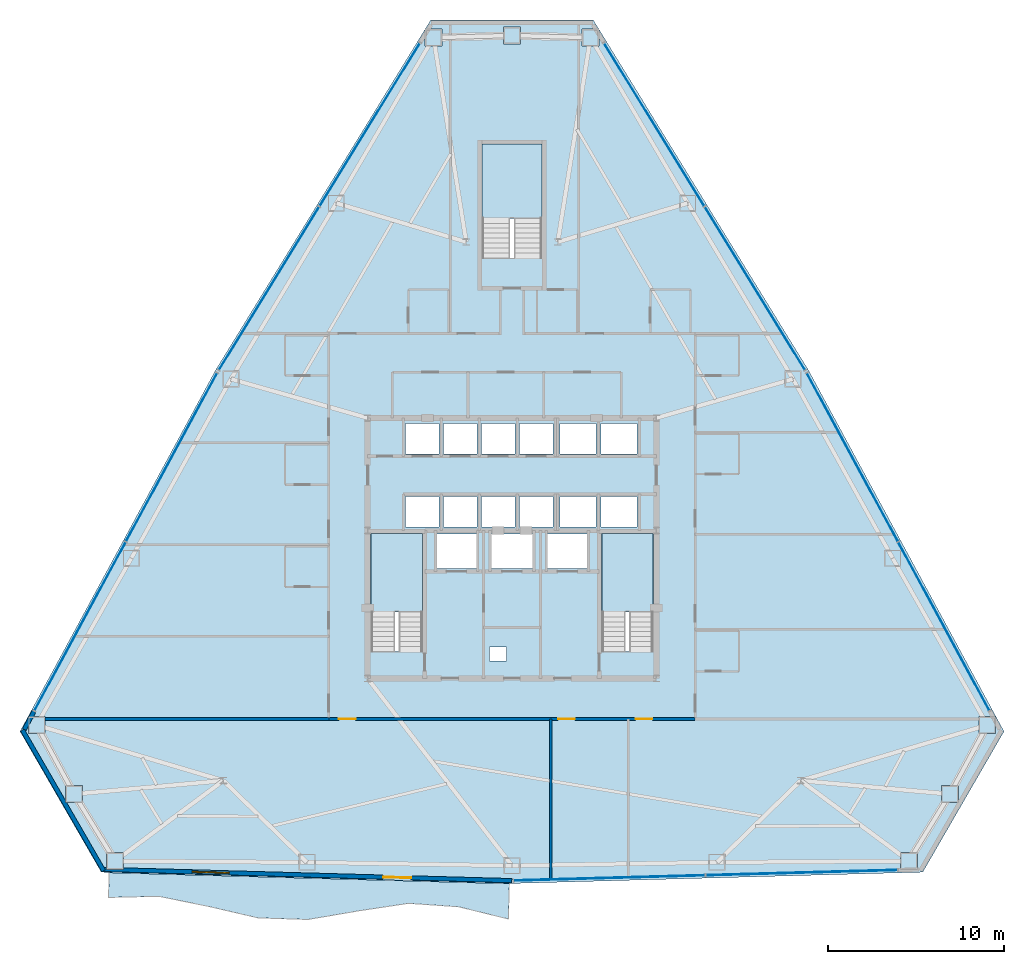
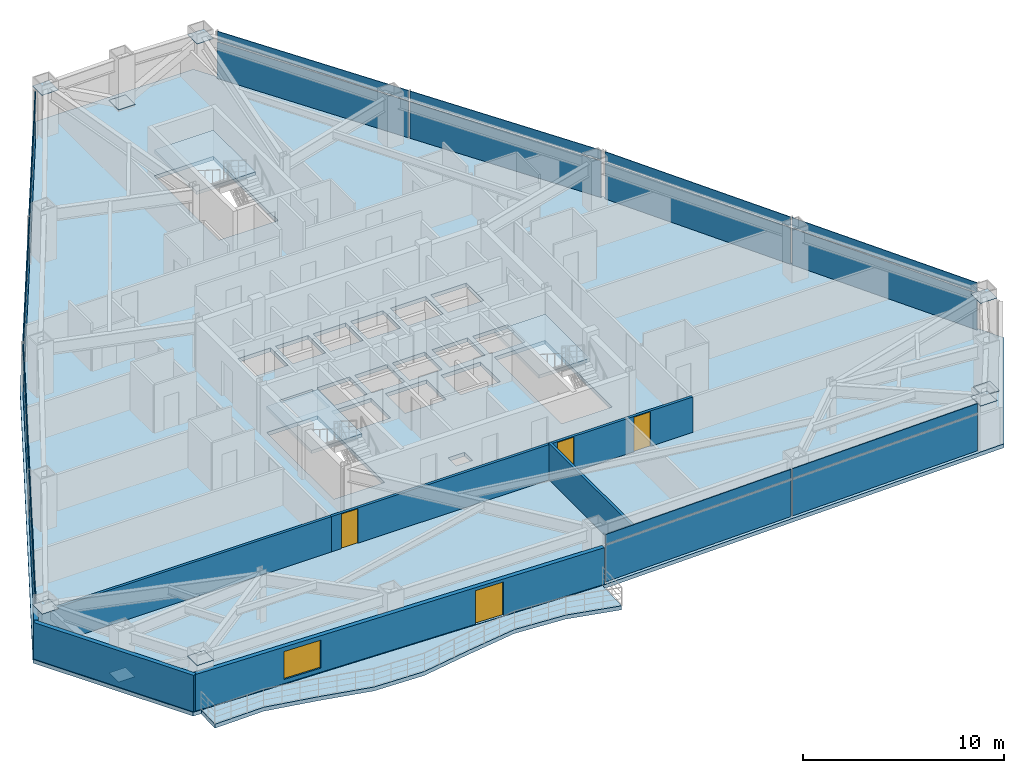
# One storey, part 8 of 13: 29 plates, 6 walls, 5 slabs, 4 doors, 1 window, 5 openings, 8 elements without a shape of their own.
"""IFC4 building model written with IfcOpenShell, lengths in metres."""

from ifc_helpers import new_model, si_unit, direction, frame, frame_2d, origin, origin_2d, place, context, subcontext, project, spatial, polyline, rectangle, outline, extrude, source, transform, mapped, material, layer, layer_set, type_object, type_shapes, element, fill, aggregate, save


model = new_model("IFC4")

# Units and contexts
model_context = context("Model", 3, precision=1e-05, world=origin(), true_north=direction((0.0, 1.0)))
body_context = subcontext(model_context, "Body", "Model", "MODEL_VIEW")
ifc_project = project(units=[si_unit("LENGTHUNIT", "METRE"), si_unit("AREAUNIT", "SQUARE_METRE"), si_unit("VOLUMEUNIT", "CUBIC_METRE"), si_unit("PLANEANGLEUNIT", "RADIAN"), si_unit("MASSUNIT", "GRAM", prefix="KILO")], contexts=[model_context])

# Site, building, storey
site_placement = place(None, origin())
site = spatial("IfcSite", under=ifc_project, at=site_placement, CompositionType="ELEMENT")
building_placement = place(site_placement, origin())
building = spatial("IfcBuilding", under=site, at=building_placement, Name="Varakhsha Concourse Tower", CompositionType="ELEMENT")
storey_placement = place(building_placement, frame((0.0, 0.0, 108.60009765625)))
storey = spatial("IfcBuildingStorey", under=building, at=storey_placement, Name="L31", CompositionType="ELEMENT", Elevation=108.60009765625)

# Slab
ifc_material_1 = material(Name="Concrete fc 45 MPa", Category="concrete")
ifc_layer_1 = layer(ifc_material_1, 0.22998046875, Name="SL-FLR-230")
ifc_layer_set_1 = layer_set([ifc_layer_1], Name="Concrete fc 45 MPa")
slab_type_1 = type_object("IfcSlabType", Name="SL-FLR-230", PredefinedType="FLOOR", material=ifc_layer_set_1)
slab_1_placement = place(storey_placement, frame((0.0, 0.0, -0.22998046875)))
element("IfcSlab", 1, at=slab_1_placement, inside=storey, type_object=slab_type_1, Name="L31 Composite Structural Slab", PredefinedType="FLOOR", context=body_context, shape_type="SweptSolid", body=[
    extrude(outline(polyline([(44.6142578125, 53.807861328125), (35.3857421875, 53.807861328125), (23.161865234375, 33.92138671875), (12.0517578125, 13.39208984375), (16.666015625, 5.39990234375), (40.0, 4.757080078125), (63.333984375, 5.39990234375), (67.9482421875, 13.39208984375), (56.838134765625, 33.92138671875), (44.6142578125, 53.807861328125)]), holes=[polyline([(34.919921875, 17.93994140625), (34.919921875, 24.6298828125), (32.0, 24.6298828125), (32.0, 17.93994140625), (34.919921875, 17.93994140625)]), polyline([(48.02001953125, 17.93994140625), (48.02001953125, 24.6298828125), (45.10009765625, 24.6298828125), (45.10009765625, 17.93994140625), (48.02001953125, 17.93994140625)]), polyline([(41.699951171875, 40.300048828125), (41.699951171875, 46.75), (38.300048828125, 46.75), (38.300048828125, 40.300048828125), (41.699951171875, 40.300048828125)]), polyline([(33.9599609375, 29.159912109375), (35.840087890625, 29.159912109375), (35.840087890625, 30.89990234375), (33.9599609375, 30.89990234375), (33.9599609375, 29.159912109375)]), polyline([(36.1201171875, 29.159912109375), (38.0, 29.159912109375), (38.0, 30.89990234375), (36.1201171875, 30.89990234375), (36.1201171875, 29.159912109375)]), polyline([(38.280029296875, 29.159912109375), (40.159912109375, 29.159912109375), (40.159912109375, 30.89990234375), (38.280029296875, 30.89990234375), (38.280029296875, 29.159912109375)]), polyline([(40.43994140625, 29.159912109375), (42.320068359375, 29.159912109375), (42.320068359375, 30.89990234375), (40.43994140625, 30.89990234375), (40.43994140625, 29.159912109375)]), polyline([(33.9599609375, 25.0), (35.840087890625, 25.0), (35.840087890625, 26.739990234375), (33.9599609375, 26.739990234375), (33.9599609375, 25.0)]), polyline([(36.1201171875, 25.0), (38.0, 25.0), (38.0, 26.739990234375), (36.1201171875, 26.739990234375), (36.1201171875, 25.0)]), polyline([(38.280029296875, 25.0), (40.159912109375, 25.0), (40.159912109375, 26.739990234375), (38.280029296875, 26.739990234375), (38.280029296875, 25.0)]), polyline([(40.43994140625, 25.0), (42.320068359375, 25.0), (42.320068359375, 26.739990234375), (40.43994140625, 26.739990234375), (40.43994140625, 25.0)]), polyline([(42.739990234375, 29.159912109375), (44.780029296875, 29.159912109375), (44.780029296875, 30.89990234375), (42.739990234375, 30.89990234375), (42.739990234375, 29.159912109375)]), polyline([(45.06005859375, 29.159912109375), (47.10009765625, 29.159912109375), (47.10009765625, 30.89990234375), (45.06005859375, 30.89990234375), (45.06005859375, 29.159912109375)]), polyline([(42.739990234375, 25.0), (44.780029296875, 25.0), (44.780029296875, 26.739990234375), (42.739990234375, 26.739990234375), (42.739990234375, 25.0)]), polyline([(45.06005859375, 25.0), (47.10009765625, 25.0), (47.10009765625, 26.739990234375), (45.06005859375, 26.739990234375), (45.06005859375, 25.0)]), polyline([(35.7099609375, 22.639892578125), (37.989990234375, 22.639892578125), (37.989990234375, 24.60009765625), (35.7099609375, 24.60009765625), (35.7099609375, 22.639892578125)]), polyline([(42.010009765625, 22.639892578125), (44.2900390625, 22.639892578125), (44.2900390625, 24.60009765625), (42.010009765625, 24.60009765625), (42.010009765625, 22.639892578125)]), polyline([(38.81005859375, 22.639892578125), (41.18994140625, 22.639892578125), (41.18994140625, 24.60009765625), (38.81005859375, 24.60009765625), (38.81005859375, 22.639892578125)]), polyline([(38.719970703125, 17.39990234375), (39.679931640625, 17.39990234375), (39.679931640625, 18.199951171875), (38.719970703125, 18.199951171875), (38.719970703125, 17.39990234375)])]), origin(), (0.0, 0.0, 1.0), 0.22998046875),
])

# Stair, slab
stair_type_1 = type_object("IfcStairType", Name="ST-DOGLEG-1360", PredefinedType="HALF_TURN_STAIR", material=ifc_material_1)
stair_1_placement = place(storey_placement, origin())
stair_1 = element("IfcStair", 2, at=stair_1_placement, inside=storey, type_object=stair_type_1, Name="L31 Protected Exit Stair ST1", PredefinedType="HALF_TURN_STAIR")
ifc_layer_2 = layer(ifc_material_1, 0.199951171875, Name="SL-LAND-200")
ifc_layer_set_2 = layer_set([ifc_layer_2], Name="Concrete fc 45 MPa")
slab_type_2 = type_object("IfcSlabType", Name="SL-LAND-200", PredefinedType="LANDING", material=ifc_layer_set_2)
slab_2_placement = place(storey_placement, frame((0.0, 0.0, 1.39990234375)))
slab_2 = element("IfcSlab", 3, at=slab_2_placement, type_object=slab_type_2, Name="ST1 landing 1", PredefinedType="LANDING", context=body_context, shape_type="SweptSolid", body=[
    extrude(outline(polyline([(34.919921875, 20.179931640625), (34.919921875, 24.6298828125), (32.0, 24.6298828125), (32.0, 20.179931640625), (34.919921875, 20.179931640625)])), origin(), (0.0, 0.0, 1.0), 0.199951171875),
])
aggregate(stair_1, [slab_2])

stair_2_placement = place(storey_placement, origin())
stair_2 = element("IfcStair", 4, at=stair_2_placement, inside=storey, type_object=stair_type_1, Name="L31 Protected Exit Stair ST2", PredefinedType="HALF_TURN_STAIR")
slab_3_placement = place(storey_placement, frame((0.0, 0.0, 1.39990234375)))
slab_3 = element("IfcSlab", 5, at=slab_3_placement, type_object=slab_type_2, Name="ST2 landing 1", PredefinedType="LANDING", context=body_context, shape_type="SweptSolid", body=[
    extrude(outline(polyline([(48.02001953125, 20.179931640625), (48.02001953125, 24.6298828125), (45.10009765625, 24.6298828125), (45.10009765625, 20.179931640625), (48.02001953125, 20.179931640625)])), origin(), (0.0, 0.0, 1.0), 0.199951171875),
])
aggregate(stair_2, [slab_3])

stair_type_2 = type_object("IfcStairType", Name="ST-DOGLEG-1600", PredefinedType="HALF_TURN_STAIR", material=ifc_material_1)
stair_3_placement = place(storey_placement, origin())
stair_3 = element("IfcStair", 6, at=stair_3_placement, inside=storey, type_object=stair_type_2, Name="L31 Protected Exit Stair ST5", PredefinedType="HALF_TURN_STAIR")
slab_4_placement = place(storey_placement, frame((0.0, 0.0, 1.39990234375)))
slab_4 = element("IfcSlab", 7, at=slab_4_placement, type_object=slab_type_2, Name="ST5 landing 1", PredefinedType="LANDING", context=body_context, shape_type="SweptSolid", body=[
    extrude(outline(polyline([(41.699951171875, 42.5400390625), (41.699951171875, 46.75), (38.300048828125, 46.75), (38.300048828125, 42.5400390625), (41.699951171875, 42.5400390625)])), origin(), (0.0, 0.0, 1.0), 0.199951171875),
])
aggregate(stair_3, [slab_4])

# Slab
ifc_layer_3 = layer(ifc_material_1, 0.239990234375, Name="SL-TERR-240")
ifc_layer_set_3 = layer_set([ifc_layer_3], Name="Concrete fc 45 MPa")
slab_type_3 = type_object("IfcSlabType", Name="SL-TERR-240", PredefinedType="FLOOR", material=ifc_layer_set_3)
slab_5_placement = place(storey_placement, frame((0.0, 0.0, -0.239990234375)))
element("IfcSlab", 8, at=slab_5_placement, inside=storey, type_object=slab_type_3, Name="L31 Hotel Wave Sky-Loggia Balcony", PredefinedType="FLOOR", context=body_context, shape_type="SweptSolid", body=[
    extrude(outline(polyline([(17.115478515625, 5.37255859375), (39.849609375, 4.74609375), (39.794189453125, 2.7392578125), (36.969482421875, 3.4306640625), (34.130859375, 3.627685546875), (31.275146484375, 3.197265625), (28.417724609375, 2.710205078125), (25.576416015625, 2.801025390625), (22.75048828125, 3.45556640625), (19.92236328125, 4.027099609375), (17.07666015625, 3.96240234375), (17.115478515625, 5.37255859375)])), origin(), (0.0, 0.0, 1.0), 0.239990234375),
])

# Plates
ifc_material_2 = material(Name="Structural Steel ASTM A572 Grade 50", Category="steel")
ifc_layer_4 = layer(ifc_material_2, 0.030029296875, Name="PL-ENDCAP-950")
ifc_layer_set_4 = layer_set([ifc_layer_4], Name="Structural Steel ASTM A572 Grade 50")
plate_type_1 = type_object("IfcPlateType", Name="PL-ENDCAP-950", PredefinedType="USERDEFINED", material=ifc_layer_set_4)
shared_shape_1 = source(origin(), body_context, "Body", "SweptSolid", [
    extrude(rectangle(XDim=0.949951171875, YDim=0.949951171875, at=origin_2d()), origin(), (0.0, 0.0, 1.0), 0.030029296875),
])
type_shapes(plate_type_1, [shared_shape_1])
for number, where, z_axis, x_axis, name in (
    (9, (40.0, 52.927734375, 0.10498046875), (0.0, 0.0, 1.0), (1.0, 0.0, 0.0), "Hollow Section End Cap GP-NODE-L31-0295"),
    (10, (44.45849609375, 52.807861328125, 2.625), (0.0, 0.0, 1.0), (1.0, 0.0, 0.0), "Hollow Section End Cap GP-NODE-L31-0296"),
    (11, (35.54150390625, 52.807861328125, 2.625), (0.0, 0.0, 1.0), (1.0, 0.0, 0.0), "Hollow Section End Cap GP-NODE-L31-0297"),
    (12, (15.12109375, 9.836181640625, 0.10498046875), (0.0, 0.0, 1.0), (1.0, 0.0, 0.0), "Hollow Section End Cap GP-NODE-L31-0298"),
    (13, (12.99560546875, 13.757080078125, 2.625), (0.0, 0.0, 1.0), (1.0, 0.0, 0.0), "Hollow Section End Cap GP-NODE-L31-0299"),
    (14, (17.4541015625, 6.034912109375, 2.625), (0.0, 0.0, 1.0), (1.0, 0.0, 0.0), "Hollow Section End Cap GP-NODE-L31-0300"),
    (15, (64.87890625, 9.836181640625, 0.10498046875), (0.0, 0.0, 1.0), (1.0, 0.0, 0.0), "Hollow Section End Cap GP-NODE-L31-0301"),
    (16, (62.5458984375, 6.034912109375, 2.625), (0.0, 0.0, 1.0), (1.0, 0.0, 0.0), "Hollow Section End Cap GP-NODE-L31-0302"),
    (17, (67.00439453125, 13.757080078125, 2.625), (0.0, 0.0, 1.0), (1.0, 0.0, 0.0), "Hollow Section End Cap GP-NODE-L31-0303"),
):
    element("IfcPlate", number, at=place(storey_placement, frame(where, z_axis=z_axis, x_axis=x_axis)), inside=storey, type_object=plate_type_1, Name=name, ObjectType="END PLATE", PredefinedType="USERDEFINED", context=body_context, shape_type="MappedRepresentation", body=[
        mapped(shared_shape_1, transform((0.0, 0.0, 0.0), scale=1.0)),
    ])

# Curtain wall, plates
ifc_material_3 = material(Name="Anodised Bronze Architectural Aluminium AA 6063-T6", Category="aluminium")
ifc_layer_5 = layer(ifc_material_3, 0.199951171875, Name="CW-SYS-03")
ifc_layer_set_5 = layer_set([ifc_layer_5], Name="Anodised Bronze Architectural Aluminium AA 6063-T6")
curtain_wall_type = type_object("IfcCurtainWallType", Name="CW-SYS-03", PredefinedType="NOTDEFINED", material=ifc_layer_set_5)
curtain_wall_1_placement = place(storey_placement, origin())
curtain_wall_1 = element("IfcCurtainWall", 18, at=curtain_wall_1_placement, inside=storey, type_object=curtain_wall_type, Name="L31 Crystal Curtain Wall F2", PredefinedType="NOTDEFINED")
ifc_material_4 = material(Name="Glazed Turquoise-Bronze Ceramic Spandrel Panel 38 mm", Category="ceramic")
ifc_layer_6 = layer(ifc_material_4, 0.0380859375, Name="CWP-SPN-38")
ifc_layer_set_6 = layer_set([ifc_layer_6], Name="Glazed Turquoise-Bronze Ceramic Spandrel Panel 38 mm")
plate_type_2 = type_object("IfcPlateType", Name="CWP-SPN-38", PredefinedType="USERDEFINED", material=ifc_layer_set_6)
shared_shape_2 = source(origin(), body_context, "Body", "SweptSolid", [
    extrude(rectangle(XDim=10.84228515625, YDim=0.0380859375, at=origin_2d()), origin(), (0.0, 0.0, 1.0), 0.5810546875),
])
plate_1_placement = place(storey_placement, frame((26.19970703125, 38.55810546875, 2.324462890625), z_axis=(0.0, 0.0, 1.0), x_axis=(0.523664775253, 0.851924411646, 0.0)))
plate_1 = element("IfcPlate", 19, at=plate_1_placement, type_object=plate_type_2, Name="CW-L31-F2 Panel 00-01", ObjectType="SPANDREL", PredefinedType="USERDEFINED", context=body_context, shape_type="MappedRepresentation", body=[
    mapped(shared_shape_2, transform((0.0, 0.0, 0.0), scale=1.0)),
])
plate_2_placement = place(storey_placement, frame((31.918701171875, 47.8623046875, 2.324462890625), z_axis=(0.0, 0.0, 1.0), x_axis=(0.523664775253, 0.851924411646, 0.0)))
plate_2 = element("IfcPlate", 20, at=plate_2_placement, type_object=plate_type_2, Name="CW-L31-F2 Panel 01-01", ObjectType="SPANDREL", PredefinedType="USERDEFINED", context=body_context, shape_type="MappedRepresentation", body=[
    mapped(shared_shape_2, transform((0.0, 0.0, 0.0), scale=1.0)),
])

# Curtain wall, plate
curtain_wall_2_placement = place(storey_placement, origin())
curtain_wall_2 = element("IfcCurtainWall", 21, at=curtain_wall_2_placement, inside=storey, type_object=curtain_wall_type, Name="L31 Crystal Curtain Wall F3", PredefinedType="NOTDEFINED")
plate_3_placement = place(storey_placement, frame((20.665283203125, 28.972412109375, 2.324462890625), z_axis=(0.0, 0.0, 1.0), x_axis=(0.475958864887, 0.879467542855, 0.0)))
plate_3 = element("IfcPlate", 22, at=plate_3_placement, type_object=plate_type_2, Name="CW-L31-F3 Panel 01-01", ObjectType="SPANDREL", PredefinedType="USERDEFINED", context=body_context, shape_type="MappedRepresentation", body=[
    mapped(shared_shape_2, transform((0.0, 0.0, 0.0), scale=1.0)),
])

curtain_wall_3_placement = place(storey_placement, origin())
curtain_wall_3 = element("IfcCurtainWall", 23, at=curtain_wall_3_placement, inside=storey, type_object=curtain_wall_type, Name="L31 Crystal Curtain Wall F6", PredefinedType="NOTDEFINED")
plate_4_placement = place(storey_placement, frame((45.5341796875, 5.069580078125, 2.324462890625), z_axis=(0.0, 0.0, 1.0), x_axis=(-0.99962052214, -0.02754653728, 0.0)))
plate_4 = element("IfcPlate", 24, at=plate_4_placement, type_object=plate_type_2, Name="CW-L31-F6 Panel 01-01", ObjectType="SPANDREL", PredefinedType="USERDEFINED", context=body_context, shape_type="MappedRepresentation", body=[
    mapped(shared_shape_2, transform((0.0, 0.0, 0.0), scale=1.0)),
])

curtain_wall_4_placement = place(storey_placement, origin())
curtain_wall_4 = element("IfcCurtainWall", 25, at=curtain_wall_4_placement, inside=storey, type_object=curtain_wall_type, Name="L31 Crystal Curtain Wall F8", PredefinedType="NOTDEFINED")
plate_5_placement = place(storey_placement, frame((64.53271484375, 19.367431640625, 2.324462890625), z_axis=(0.0, 0.0, 1.0), x_axis=(0.475958864887, -0.879467542855, 0.0)))
plate_5 = element("IfcPlate", 26, at=plate_5_placement, type_object=plate_type_2, Name="CW-L31-F8 Panel 01-01", ObjectType="SPANDREL", PredefinedType="USERDEFINED", context=body_context, shape_type="MappedRepresentation", body=[
    mapped(shared_shape_2, transform((0.0, 0.0, 0.0), scale=1.0)),
])

# Curtain wall, plates
curtain_wall_5_placement = place(storey_placement, origin())
curtain_wall_5 = element("IfcCurtainWall", 27, at=curtain_wall_5_placement, inside=storey, type_object=curtain_wall_type, Name="L31 Crystal Curtain Wall F9", PredefinedType="NOTDEFINED")
plate_6_placement = place(storey_placement, frame((48.081298828125, 47.8623046875, 2.324462890625), z_axis=(0.0, 0.0, 1.0), x_axis=(0.523664775253, -0.851924411646, 0.0)))
plate_6 = element("IfcPlate", 28, at=plate_6_placement, type_object=plate_type_2, Name="CW-L31-F9 Panel 00-01", ObjectType="SPANDREL", PredefinedType="USERDEFINED", context=body_context, shape_type="MappedRepresentation", body=[
    mapped(shared_shape_2, transform((0.0, 0.0, 0.0), scale=1.0)),
])
plate_7_placement = place(storey_placement, frame((53.80029296875, 38.55810546875, 2.324462890625), z_axis=(0.0, 0.0, 1.0), x_axis=(0.523664775253, -0.851924411646, 0.0)))
plate_7 = element("IfcPlate", 29, at=plate_7_placement, type_object=plate_type_2, Name="CW-L31-F9 Panel 01-01", ObjectType="SPANDREL", PredefinedType="USERDEFINED", context=body_context, shape_type="MappedRepresentation", body=[
    mapped(shared_shape_2, transform((0.0, 0.0, 0.0), scale=1.0)),
])

# Plate
shared_shape_3 = source(origin(), body_context, "Body", "SweptSolid", [
    extrude(rectangle(XDim=10.842529296875, YDim=0.0380859375, at=origin_2d()), origin(), (0.0, 0.0, 1.0), 0.5810546875),
])
type_shapes(plate_type_2, [shared_shape_2, shared_shape_3])
plate_8_placement = place(storey_placement, frame((15.46728515625, 19.367431640625, 2.324462890625), z_axis=(0.0, 0.0, 1.0), x_axis=(0.475958864887, 0.879467542855, 0.0)))
plate_8 = element("IfcPlate", 30, at=plate_8_placement, type_object=plate_type_2, Name="CW-L31-F3 Panel 00-01", ObjectType="SPANDREL", PredefinedType="USERDEFINED", context=body_context, shape_type="MappedRepresentation", body=[
    mapped(shared_shape_3, transform((0.0, 0.0, 0.0), scale=1.0)),
])

plate_9_placement = place(storey_placement, frame((56.451416015625, 5.370361328125, 2.324462890625), z_axis=(0.0, 0.0, 1.0), x_axis=(-0.99962052214, -0.02754653728, 0.0)))
plate_9 = element("IfcPlate", 31, at=plate_9_placement, type_object=plate_type_2, Name="CW-L31-F6 Panel 00-01", ObjectType="SPANDREL", PredefinedType="USERDEFINED", context=body_context, shape_type="MappedRepresentation", body=[
    mapped(shared_shape_3, transform((0.0, 0.0, 0.0), scale=1.0)),
])

plate_10_placement = place(storey_placement, frame((59.334716796875, 28.972412109375, 2.324462890625), z_axis=(0.0, 0.0, 1.0), x_axis=(0.475958864887, -0.879467542855, 0.0)))
plate_10 = element("IfcPlate", 32, at=plate_10_placement, type_object=plate_type_2, Name="CW-L31-F8 Panel 00-01", ObjectType="SPANDREL", PredefinedType="USERDEFINED", context=body_context, shape_type="MappedRepresentation", body=[
    mapped(shared_shape_3, transform((0.0, 0.0, 0.0), scale=1.0)),
])

ifc_material_5 = material(Name="Low-E Triple Insulating Glass IGU 44 mm", Category="glass")
ifc_layer_7 = layer(ifc_material_5, 0.0439453125, Name="CWP-IGU-44")
ifc_layer_set_7 = layer_set([ifc_layer_7], Name="Low-E Triple Insulating Glass IGU 44 mm")
plate_type_3 = type_object("IfcPlateType", Name="CWP-IGU-44", PredefinedType="CURTAIN_PANEL", material=ifc_layer_set_7)
shared_shape_4 = source(origin(), body_context, "Body", "SweptSolid", [
    extrude(rectangle(XDim=10.84228515625, YDim=0.0439453125, at=origin_2d()), origin(), (0.0, 0.0, 1.0), 2.220947265625),
])
plate_11_placement = place(storey_placement, frame((26.19970703125, 38.55810546875, 0.03466796875), z_axis=(0.0, 0.0, 1.0), x_axis=(0.523664775253, 0.851924411646, 0.0)))
plate_11 = element("IfcPlate", 33, at=plate_11_placement, type_object=plate_type_3, Name="CW-L31-F2 Panel 00-00", PredefinedType="CURTAIN_PANEL", context=body_context, shape_type="MappedRepresentation", body=[
    mapped(shared_shape_4, transform((0.0, 0.0, 0.0), scale=1.0)),
])

plate_12_placement = place(storey_placement, frame((31.918701171875, 47.8623046875, 0.03466796875), z_axis=(0.0, 0.0, 1.0), x_axis=(0.523664775253, 0.851924411646, 0.0)))
plate_12 = element("IfcPlate", 34, at=plate_12_placement, type_object=plate_type_3, Name="CW-L31-F2 Panel 01-00", PredefinedType="CURTAIN_PANEL", context=body_context, shape_type="MappedRepresentation", body=[
    mapped(shared_shape_4, transform((0.0, 0.0, 0.0), scale=1.0)),
])

aggregate(curtain_wall_1, [plate_11, plate_1, plate_12, plate_2])

plate_13_placement = place(storey_placement, frame((20.665283203125, 28.972412109375, 0.03466796875), z_axis=(0.0, 0.0, 1.0), x_axis=(0.475958864887, 0.879467542855, 0.0)))
plate_13 = element("IfcPlate", 35, at=plate_13_placement, type_object=plate_type_3, Name="CW-L31-F3 Panel 01-00", PredefinedType="CURTAIN_PANEL", context=body_context, shape_type="MappedRepresentation", body=[
    mapped(shared_shape_4, transform((0.0, 0.0, 0.0), scale=1.0)),
])

plate_14_placement = place(storey_placement, frame((45.5341796875, 5.069580078125, 0.03466796875), z_axis=(0.0, 0.0, 1.0), x_axis=(-0.99962052214, -0.02754653728, 0.0)))
plate_14 = element("IfcPlate", 36, at=plate_14_placement, type_object=plate_type_3, Name="CW-L31-F6 Panel 01-00", PredefinedType="CURTAIN_PANEL", context=body_context, shape_type="MappedRepresentation", body=[
    mapped(shared_shape_4, transform((0.0, 0.0, 0.0), scale=1.0)),
])

plate_15_placement = place(storey_placement, frame((64.53271484375, 19.367431640625, 0.03466796875), z_axis=(0.0, 0.0, 1.0), x_axis=(0.475958864887, -0.879467542855, 0.0)))
plate_15 = element("IfcPlate", 37, at=plate_15_placement, type_object=plate_type_3, Name="CW-L31-F8 Panel 01-00", PredefinedType="CURTAIN_PANEL", context=body_context, shape_type="MappedRepresentation", body=[
    mapped(shared_shape_4, transform((0.0, 0.0, 0.0), scale=1.0)),
])

plate_16_placement = place(storey_placement, frame((48.081298828125, 47.8623046875, 0.03466796875), z_axis=(0.0, 0.0, 1.0), x_axis=(0.523664775253, -0.851924411646, 0.0)))
plate_16 = element("IfcPlate", 38, at=plate_16_placement, type_object=plate_type_3, Name="CW-L31-F9 Panel 00-00", PredefinedType="CURTAIN_PANEL", context=body_context, shape_type="MappedRepresentation", body=[
    mapped(shared_shape_4, transform((0.0, 0.0, 0.0), scale=1.0)),
])

plate_17_placement = place(storey_placement, frame((53.80029296875, 38.55810546875, 0.03466796875), z_axis=(0.0, 0.0, 1.0), x_axis=(0.523664775253, -0.851924411646, 0.0)))
plate_17 = element("IfcPlate", 39, at=plate_17_placement, type_object=plate_type_3, Name="CW-L31-F9 Panel 01-00", PredefinedType="CURTAIN_PANEL", context=body_context, shape_type="MappedRepresentation", body=[
    mapped(shared_shape_4, transform((0.0, 0.0, 0.0), scale=1.0)),
])

aggregate(curtain_wall_5, [plate_16, plate_6, plate_17, plate_7])

shared_shape_5 = source(origin(), body_context, "Body", "SweptSolid", [
    extrude(rectangle(XDim=10.842529296875, YDim=0.0439453125, at=origin_2d()), origin(), (0.0, 0.0, 1.0), 2.220947265625),
])
type_shapes(plate_type_3, [shared_shape_4, shared_shape_5])
plate_18_placement = place(storey_placement, frame((15.46728515625, 19.367431640625, 0.03466796875), z_axis=(0.0, 0.0, 1.0), x_axis=(0.475958864887, 0.879467542855, 0.0)))
plate_18 = element("IfcPlate", 40, at=plate_18_placement, type_object=plate_type_3, Name="CW-L31-F3 Panel 00-00", PredefinedType="CURTAIN_PANEL", context=body_context, shape_type="MappedRepresentation", body=[
    mapped(shared_shape_5, transform((0.0, 0.0, 0.0), scale=1.0)),
])

aggregate(curtain_wall_2, [plate_18, plate_8, plate_13, plate_3])

plate_19_placement = place(storey_placement, frame((56.451416015625, 5.370361328125, 0.03466796875), z_axis=(0.0, 0.0, 1.0), x_axis=(-0.99962052214, -0.02754653728, 0.0)))
plate_19 = element("IfcPlate", 41, at=plate_19_placement, type_object=plate_type_3, Name="CW-L31-F6 Panel 00-00", PredefinedType="CURTAIN_PANEL", context=body_context, shape_type="MappedRepresentation", body=[
    mapped(shared_shape_5, transform((0.0, 0.0, 0.0), scale=1.0)),
])

aggregate(curtain_wall_3, [plate_19, plate_9, plate_14, plate_4])

plate_20_placement = place(storey_placement, frame((59.334716796875, 28.972412109375, 0.03466796875), z_axis=(0.0, 0.0, 1.0), x_axis=(0.475958864887, -0.879467542855, 0.0)))
plate_20 = element("IfcPlate", 42, at=plate_20_placement, type_object=plate_type_3, Name="CW-L31-F8 Panel 00-00", PredefinedType="CURTAIN_PANEL", context=body_context, shape_type="MappedRepresentation", body=[
    mapped(shared_shape_5, transform((0.0, 0.0, 0.0), scale=1.0)),
])

aggregate(curtain_wall_4, [plate_20, plate_10, plate_15, plate_5])

# Walls
ifc_layer_8 = layer(ifc_material_1, 0.239990234375, Name="WL-EXT-CRN-240")
ifc_layer_set_8 = layer_set([ifc_layer_8], Name="Concrete fc 45 MPa")
wall_type_1 = type_object("IfcWallType", Name="WL-EXT-CRN-240", PredefinedType="SHEAR", material=ifc_layer_set_8)
wall_1_placement = place(storey_placement, frame((12.850341796875, 14.531982421875, 0.0), z_axis=(0.0, 0.0, 1.0), x_axis=(-0.475877177097, -0.879511746549, 0.0)))
element("IfcWall", 43, at=wall_1_placement, inside=storey, type_object=wall_type_1, Name="L31 Wind-Corner Shoulder Wall F3", PredefinedType="SHEAR", context=body_context, shape_type="SweptSolid", body=[
    extrude(rectangle(XDim=1.16259765625, YDim=0.239990234375, at=frame_2d((0.581298828125, 0.0))), origin(), (0.0, 0.0, 1.0), 2.222900390625),
])
wall_2_placement = place(storey_placement, frame((16.8046875, 5.47998046875, 0.0), z_axis=(0.0, 0.0, 1.0), x_axis=(-0.500017094579, 0.866015534, 0.0)))
element("IfcWall", 44, at=wall_2_placement, inside=storey, type_object=wall_type_1, Name="L31 Chamfer Wind-Corner Insulated Wall F4", PredefinedType="SHEAR", context=body_context, shape_type="SweptSolid", body=[
    extrude(rectangle(XDim=9.228759765625, YDim=0.239990234375, at=frame_2d((4.6142578125, 0.0))), origin(), (0.0, 0.0, 1.0), 2.222900390625),
])

# Wall, openings, door, window
wall_3_placement = place(storey_placement, frame((39.984375, 4.91748046875, 0.0), z_axis=(0.0, 0.0, 1.0), x_axis=(-0.99962044601, 0.027549299805, 0.0)))
wall_3 = element("IfcWall", 45, at=wall_3_placement, inside=storey, type_object=wall_type_1, Name="L31 Sky-Loggia Facade Wall", PredefinedType="SHEAR", context=body_context, shape_type="SweptSolid", body=[
    extrude(rectangle(XDim=23.182861328125, YDim=0.239990234375, at=frame_2d((11.59130859375, 0.0))), origin(), (0.0, 0.0, 1.0), 2.222900390625),
])
opening_1_placement = place(wall_3_placement, frame((5.7119140625, 0.0, 0.0)))
opening_1 = element("IfcOpeningElement", 46, at=opening_1_placement, cuts=wall_3, Name="Opening DT-02", PredefinedType="OPENING", context=body_context, shape_type="SweptSolid", body=[
    extrude(rectangle(XDim=1.60009765625, YDim=2.0400390625, at=frame_2d((0.800048828125, 1.02001953125))), frame((0.0, 0.1298828125, 0.0), z_axis=(0.0, -1.0, 0.0), x_axis=(1.0, 0.0, 0.0)), (0.0, 0.0, 1.0), 0.260009765625),
])
opening_2_placement = place(wall_3_placement, frame((16.06201171875, 0.0, 0.25)))
opening_2 = element("IfcOpeningElement", 47, at=opening_2_placement, cuts=wall_3, Name="Opening W-04", PredefinedType="OPENING", context=body_context, shape_type="SweptSolid", body=[
    extrude(rectangle(XDim=2.10009765625, YDim=1.699951171875, at=frame_2d((1.050048828125, 0.85009765625))), frame((0.0, 0.1298828125, 0.0), z_axis=(0.0, -1.0, 0.0), x_axis=(1.0, 0.0, 0.0)), (0.0, 0.0, 1.0), 0.260009765625),
])
door_type_1 = type_object("IfcDoorType", Name="DR-LOGGIA-1600", OperationType="DOUBLE_DOOR_SLIDING", PredefinedType="DOOR", material=ifc_material_3)
door_1_placement = place(opening_1_placement, origin())
door_1 = element("IfcDoor", 48, at=door_1_placement, inside=storey, type_object=door_type_1, Name="L31 Sky-Loggia Sliding Glass Door", OperationType="SINGLE_SWING_LEFT", OverallHeight=2.0400390625, OverallWidth=1.60009765625, PredefinedType="DOOR", context=body_context, shape_type="SweptSolid", body=[
    extrude(rectangle(XDim=1.60009765625, YDim=2.0400390625, at=frame_2d((0.800048828125, 1.02001953125))), frame((0.0, 0.02490234375, 0.0), z_axis=(0.0, -1.0, 0.0), x_axis=(1.0, 0.0, 0.0)), (0.0, 0.0, 1.0), 0.050048828125),
])
fill(opening_1, door_1)
window_type = type_object("IfcWindowType", Name="WN-LOGGIA-2100", PartitioningType="SINGLE_PANEL", PredefinedType="WINDOW", material=ifc_material_5)
window_placement = place(opening_2_placement, origin())
window = element("IfcWindow", 49, at=window_placement, inside=storey, type_object=window_type, Name="L31 Sky-Loggia Picture Window 1", OverallHeight=1.699951171875, OverallWidth=2.10009765625, PartitioningType="SINGLE_PANEL", PredefinedType="WINDOW", context=body_context, shape_type="SweptSolid", body=[
    extrude(rectangle(XDim=2.10009765625, YDim=1.699951171875, at=frame_2d((1.050048828125, 0.85009765625))), frame((0.0, 0.030029296875, 0.0), z_axis=(0.0, -1.0, 0.0), x_axis=(1.0, 0.0, 0.0)), (0.0, 0.0, 1.0), 0.06005859375),
])
fill(opening_2, window)

# Wall, openings, doors
ifc_material_6 = material(Name="Fire-Rated Type X Gypsum Partition Assembly", Category="gypsum")
ifc_layer_9 = layer(ifc_material_6, 0.14990234375, Name="WL-PART-150")
ifc_layer_set_9 = layer_set([ifc_layer_9], Name="Fire-Rated Type X Gypsum Partition Assembly")
wall_type_2 = type_object("IfcWallType", Name="WL-PART-150", PredefinedType="PARTITIONING", material=ifc_layer_set_9)
wall_4_placement = place(storey_placement, frame((29.60009765625, 14.10009765625, 0.0), z_axis=(0.0, 0.0, 1.0), x_axis=(1.0, 0.0, 0.0)))
wall_4 = element("IfcWall", 50, at=wall_4_placement, inside=storey, type_object=wall_type_2, Name="L31 Wall CRW-S-L31", PredefinedType="PARTITIONING", context=body_context, shape_type="SweptSolid", body=[
    extrude(rectangle(XDim=20.7998046875, YDim=0.14990234375, at=frame_2d((10.39990234375, 0.0))), origin(), (0.0, 0.0, 1.0), 2.15087890625),
])
opening_3_placement = place(wall_4_placement, frame((0.570068359375, 0.0, 0.0)))
opening_3 = element("IfcOpeningElement", 51, at=opening_3_placement, cuts=wall_4, Name="Opening DF-05", PredefinedType="OPENING", context=body_context, shape_type="SweptSolid", body=[
    extrude(rectangle(XDim=0.949951171875, YDim=2.10009765625, at=frame_2d((0.47509765625, 1.050048828125))), frame((0.0, 0.0849609375, 0.0), z_axis=(0.0, -1.0, 0.0), x_axis=(1.0, 0.0, 0.0)), (0.0, 0.0, 1.0), 0.169921875),
])
opening_4_placement = place(wall_4_placement, frame((13.02001953125, 0.0, 0.0)))
opening_4 = element("IfcOpeningElement", 52, at=opening_4_placement, cuts=wall_4, Name="Opening DF-05", PredefinedType="OPENING", context=body_context, shape_type="SweptSolid", body=[
    extrude(rectangle(XDim=0.949951171875, YDim=2.10009765625, at=frame_2d((0.47509765625, 1.050048828125))), frame((0.0, 0.0849609375, 0.0), z_axis=(0.0, -1.0, 0.0), x_axis=(1.0, 0.0, 0.0)), (0.0, 0.0, 1.0), 0.169921875),
])
opening_5_placement = place(wall_4_placement, frame((17.419921875, 0.0, 0.0)))
opening_5 = element("IfcOpeningElement", 53, at=opening_5_placement, cuts=wall_4, Name="Opening DF-05", PredefinedType="OPENING", context=body_context, shape_type="SweptSolid", body=[
    extrude(rectangle(XDim=0.949951171875, YDim=2.10009765625, at=frame_2d((0.47509765625, 1.050048828125))), frame((0.0, 0.0849609375, 0.0), z_axis=(0.0, -1.0, 0.0), x_axis=(1.0, 0.0, 0.0)), (0.0, 0.0, 1.0), 0.169921875),
])
ifc_material_7 = material(Name="Hollow Galvanised Steel Fire Door Assembly", Category="steel")
door_type_2 = type_object("IfcDoorType", Name="DR-FD60-950", OperationType="NOTDEFINED", PredefinedType="DOOR", material=ifc_material_7)
door_2_placement = place(opening_3_placement, origin())
door_2 = element("IfcDoor", 54, at=door_2_placement, inside=storey, type_object=door_type_2, Name="L31 Hotel Executive Salon L31-H01 Door", OperationType="SINGLE_SWING_LEFT", OverallHeight=2.10009765625, OverallWidth=0.949951171875, PredefinedType="DOOR", context=body_context, shape_type="SweptSolid", body=[
    extrude(rectangle(XDim=0.949951171875, YDim=2.10009765625, at=frame_2d((0.47509765625, 1.050048828125))), frame((0.0, 0.02490234375, 0.0), z_axis=(0.0, -1.0, 0.0), x_axis=(1.0, 0.0, 0.0)), (0.0, 0.0, 1.0), 0.050048828125),
])
fill(opening_3, door_2)
door_3_placement = place(opening_4_placement, origin())
door_3 = element("IfcDoor", 55, at=door_3_placement, inside=storey, type_object=door_type_2, Name="L31 Sky-Loggia Reading Lounge L31-H02 Door", OperationType="SINGLE_SWING_RIGHT", OverallHeight=2.10009765625, OverallWidth=0.949951171875, PredefinedType="DOOR", context=body_context, shape_type="SweptSolid", body=[
    extrude(rectangle(XDim=0.949951171875, YDim=2.10009765625, at=frame_2d((0.47509765625, 1.050048828125))), frame((0.0, 0.02490234375, 0.0), z_axis=(0.0, -1.0, 0.0), x_axis=(1.0, 0.0, 0.0)), (0.0, 0.0, 1.0), 0.050048828125),
])
fill(opening_4, door_3)
door_4_placement = place(opening_5_placement, origin())
door_4 = element("IfcDoor", 56, at=door_4_placement, inside=storey, type_object=door_type_2, Name="L31 Hotel Executive Salon L31-H03 Door", OperationType="SINGLE_SWING_LEFT", OverallHeight=2.10009765625, OverallWidth=0.949951171875, PredefinedType="DOOR", context=body_context, shape_type="SweptSolid", body=[
    extrude(rectangle(XDim=0.949951171875, YDim=2.10009765625, at=frame_2d((0.47509765625, 1.050048828125))), frame((0.0, 0.02490234375, 0.0), z_axis=(0.0, -1.0, 0.0), x_axis=(1.0, 0.0, 0.0)), (0.0, 0.0, 1.0), 0.050048828125),
])
fill(opening_5, door_4)

# Walls
wall_5_placement = place(storey_placement, frame((42.199951171875, 4.982666015625, 0.0), z_axis=(0.0, 0.0, 1.0), x_axis=(0.0, 1.0, 0.0)))
element("IfcWall", 57, at=wall_5_placement, inside=storey, type_object=wall_type_2, Name="L31 Wall HDIV-S1-L31", PredefinedType="PARTITIONING", context=body_context, shape_type="SweptSolid", body=[
    extrude(rectangle(XDim=9.117431640625, YDim=0.14990234375, at=frame_2d((4.55859375, 0.0))), origin(), (0.0, 0.0, 1.0), 2.227783203125),
])
wall_6_placement = place(storey_placement, frame((12.622314453125, 14.10009765625, 0.0), z_axis=(0.0, 0.0, 1.0), x_axis=(1.0, 0.0, 0.0)))
element("IfcWall", 58, at=wall_6_placement, inside=storey, type_object=wall_type_2, Name="L31 Wall HDIV-WB0-L31", PredefinedType="PARTITIONING", context=body_context, shape_type="SweptSolid", body=[
    extrude(rectangle(XDim=16.977783203125, YDim=0.14990234375, at=frame_2d((8.48876953125, 0.0))), origin(), (0.0, 0.0, 1.0), 2.15087890625),
])

save(model, "model.ifc")
